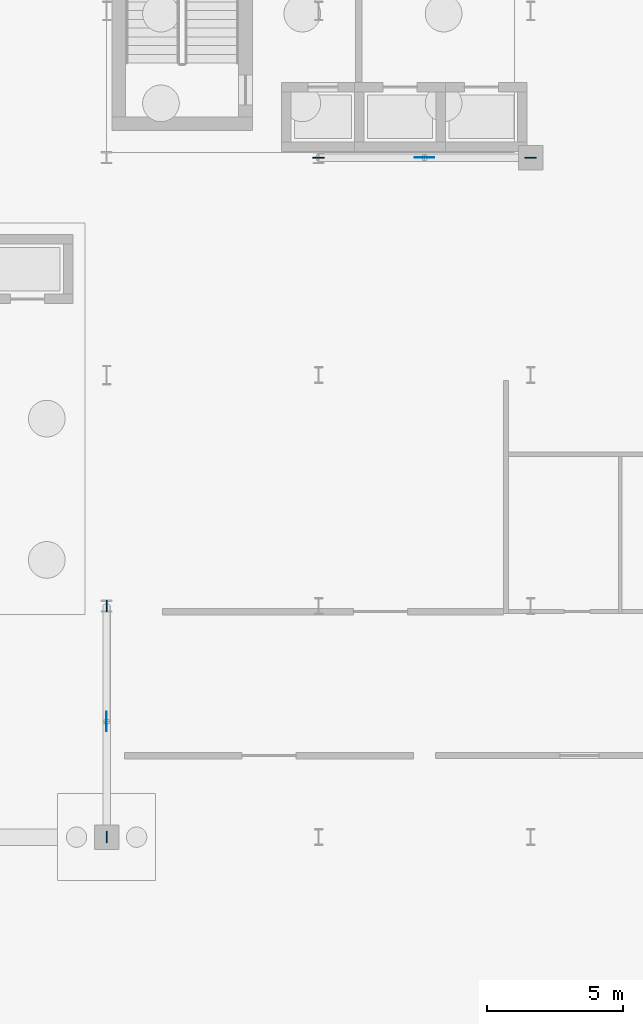
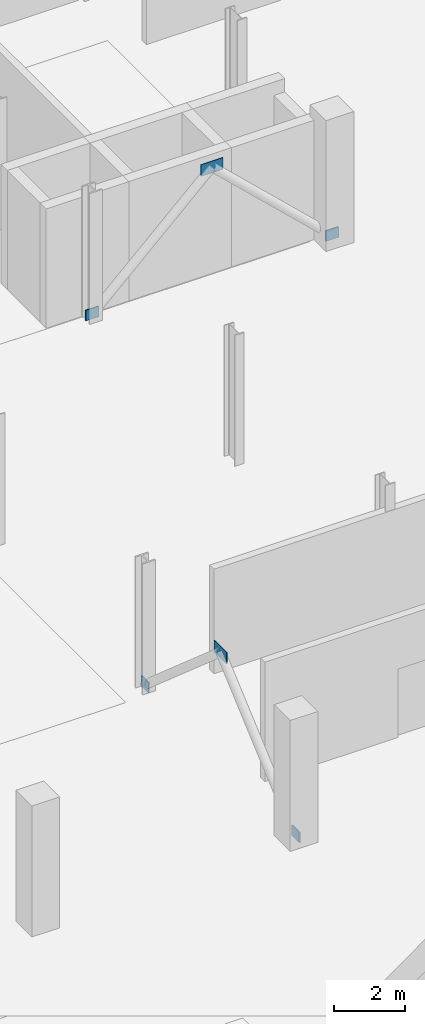
# One storey, part 21 of 45: 6 plates.
"""IFC4 building model written with IfcOpenShell, lengths in metres."""

from ifc_helpers import new_model, si_unit, direction, frame, origin, origin_2d, place, context, subcontext, project, spatial, rectangle, extrude, material, layer, layer_set, type_object, element, save


model = new_model("IFC4")

# Units and contexts
model_context = context("Model", 3, precision=1e-05, world=origin(), true_north=direction((0.0, 1.0)))
body_context = subcontext(model_context, "Body", "Model", "MODEL_VIEW")
ifc_project = project(units=[si_unit("LENGTHUNIT", "METRE"), si_unit("AREAUNIT", "SQUARE_METRE"), si_unit("VOLUMEUNIT", "CUBIC_METRE"), si_unit("PLANEANGLEUNIT", "RADIAN"), si_unit("MASSUNIT", "GRAM", prefix="KILO")], contexts=[model_context])

# Site, building, storey
site_placement = place(None, origin())
site = spatial("IfcSite", under=ifc_project, at=site_placement, CompositionType="ELEMENT")
building_placement = place(site_placement, origin())
building = spatial("IfcBuilding", under=site, at=building_placement, Name="Sefraquen Railside Congress Hotel", CompositionType="ELEMENT")
storey_placement = place(building_placement, frame((0.0, 0.0, -4.5)))
storey = spatial("IfcBuildingStorey", under=building, at=storey_placement, Name="B01", CompositionType="ELEMENT", Elevation=-4.5)

# Plates
ifc_material = material(Name="Steel S355J2", Category="steel")
ifc_layer_1 = layer(ifc_material, 0.02001953125)
ifc_layer_set_1 = layer_set([ifc_layer_1], Name="Steel S355J2")
plate_type_1 = type_object("IfcPlateType", Name="TP-GUS-01", PredefinedType="SHEET", material=ifc_layer_set_1)
for number, where, z_axis, x_axis, name in (
    (1, (36.89990234375, 96.0, 3.650146484375), (0.0, 0.0, 1.0), (1.0, 0.0, 0.0), "Chevron braced-frame apex gusset plate BF1 B01"),
    (2, (25.199951171875, 75.25, 3.650146484375), (0.0, 0.0, 1.0), (0.0, 1.0, 0.0), "Chevron braced-frame apex gusset plate BF2 B01"),
):
    element("IfcPlate", number, at=place(storey_placement, frame(where, z_axis=z_axis, x_axis=x_axis)), inside=storey, type_object=plate_type_1, Name=name, PredefinedType="SHEET", context=body_context, shape_type="SweptSolid", body=[
        extrude(rectangle(XDim=0.719970703125, YDim=0.02001953125, at=origin_2d()), origin(), (0.0, 0.0, 1.0), 0.39990234375),
    ])
ifc_layer_2 = layer(ifc_material, 0.0400390625)
ifc_layer_set_2 = layer_set([ifc_layer_2], Name="Steel S355J2")
plate_type_2 = type_object("IfcPlateType", Name="TP-GUS-02", PredefinedType="SHEET", material=ifc_layer_set_2)
for number, where, z_axis, x_axis, name in (
    (3, (33.0, 96.0, 0.0), (0.0, 0.0, 1.0), (1.0, 0.0, 0.0), "Chevron braced-frame base gusset plate BF1-L B01"),
    (4, (40.800048828125, 96.0, 0.0), (0.0, 0.0, 1.0), (1.0, 0.0, 0.0), "Chevron braced-frame base gusset plate BF1-R B01"),
    (5, (25.199951171875, 71.0, 0.0), (0.0, 0.0, 1.0), (0.0, 1.0, 0.0), "Chevron braced-frame base gusset plate BF2-L B01"),
    (6, (25.199951171875, 79.5, 0.0), (0.0, 0.0, 1.0), (0.0, 1.0, 0.0), "Chevron braced-frame base gusset plate BF2-R B01"),
):
    element("IfcPlate", number, at=place(storey_placement, frame(where, z_axis=z_axis, x_axis=x_axis)), inside=storey, type_object=plate_type_2, Name=name, PredefinedType="SHEET", context=body_context, shape_type="SweptSolid", body=[
        extrude(rectangle(XDim=0.419921875, YDim=0.0400390625, at=origin_2d()), origin(), (0.0, 0.0, 1.0), 0.360107421875),
    ])

save(model, "model.ifc")
